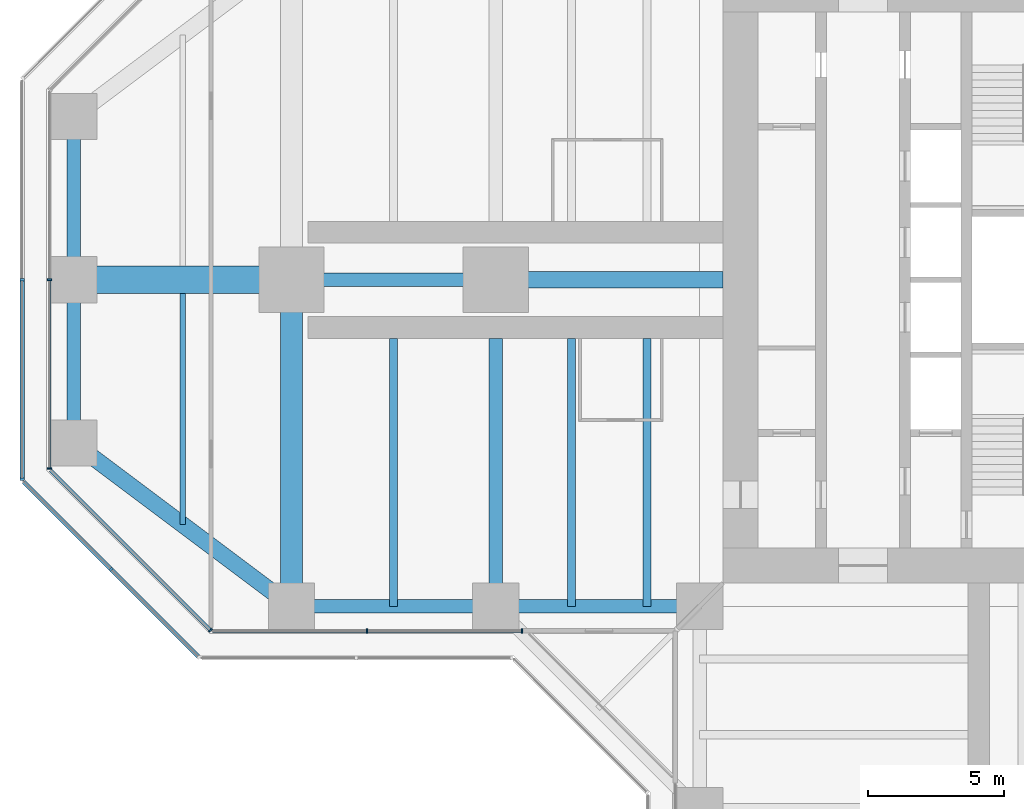
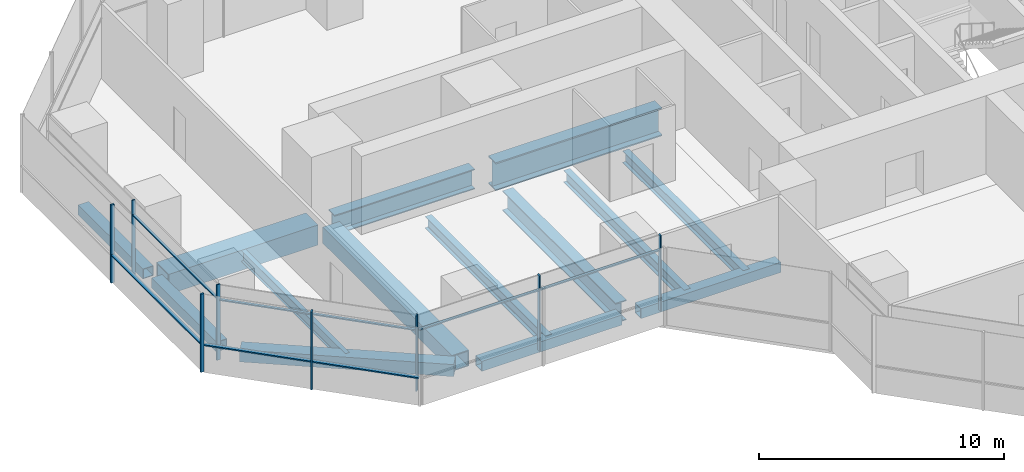
# One storey, part 3 of 19: 15 members, 14 beams, 5 elements without a shape of their own.
"""IFC4 building model written with IfcOpenShell, lengths in metres."""

from ifc_helpers import new_model, si_unit, direction, frame, origin, origin_2d, place, context, subcontext, project, spatial, rectangle, hollow_rectangle, i_section, extrude, material, material_profile, profile_set, type_object, element, aggregate, save


model = new_model("IFC4")

# Units and contexts
model_context = context("Model", 3, precision=1e-05, world=origin(), true_north=direction((0.0, 1.0)))
body_context = subcontext(model_context, "Body", "Model", "MODEL_VIEW")
ifc_project = project(units=[si_unit("LENGTHUNIT", "METRE"), si_unit("AREAUNIT", "SQUARE_METRE"), si_unit("VOLUMEUNIT", "CUBIC_METRE"), si_unit("PLANEANGLEUNIT", "RADIAN"), si_unit("MASSUNIT", "GRAM", prefix="KILO")], contexts=[model_context])

# Site, building, storey
site_placement = place(None, origin())
site = spatial("IfcSite", under=ifc_project, at=site_placement, CompositionType="ELEMENT")
building_placement = place(site_placement, origin())
building = spatial("IfcBuilding", under=site, at=building_placement, Name="Mizan Broadcast Tower", CompositionType="ELEMENT")
storey_placement = place(building_placement, frame((0.0, 0.0, 128.10009765625)))
storey = spatial("IfcBuildingStorey", under=building, at=storey_placement, Name="L28", CompositionType="ELEMENT", Elevation=128.10009765625)

# Beams
ifc_material_1 = material(Name="Steel S355", Category="steel")
ifc_material_profile_1 = material_profile(ifc_material_1, hollow_rectangle(XDim=0.5, YDim=0.5, WallThickness=0.030029296875, at=origin_2d()), Name="BOX 500x500x30")
ifc_profile_set_1 = profile_set([ifc_material_profile_1], Name="Steel S355")
beam_type_1 = type_object("IfcBeamType", Name="EDGE BEAM BOX 500x500x30", PredefinedType="SPANDREL", material=ifc_profile_set_1)
beam_1_placement = place(storey_placement, frame((-35.0, 5.639892578125, -0.380126953125), z_axis=(0.0, -1.0, 0.0), x_axis=(1.0, 0.0, 0.0)))
element("IfcBeam", 1, at=beam_1_placement, inside=storey, type_object=beam_type_1, Name="Edge beam BOX 500x500x30 L28 west arm", PredefinedType="SPANDREL", context=body_context, shape_type="SweptSolid", body=[
    extrude(hollow_rectangle(XDim=0.5, YDim=0.5, WallThickness=0.030029296875, at=origin_2d()), origin(), (0.0, 0.0, 1.0), 5.27978515625),
])
for number, where, z_axis, x_axis, name in (
    (2, (-12.449951171875, -12.0, -0.380126953125), (-1.0, 0.0, 0.0), (0.0, -1.0, 0.0), "Edge beam BOX 500x500x30 L28 west arm"),
    (3, (-19.949951171875, -12.0, -0.380126953125), (-1.0, 0.0, 0.0), (0.0, -1.0, 0.0), "Edge beam BOX 500x500x30 L28 west arm"),
):
    element("IfcBeam", number, at=place(storey_placement, frame(where, z_axis=z_axis, x_axis=x_axis)), inside=storey, type_object=beam_type_1, Name=name, PredefinedType="SPANDREL", context=body_context, shape_type="SweptSolid", body=[
        extrude(hollow_rectangle(XDim=0.5, YDim=0.5, WallThickness=0.030029296875, at=origin_2d()), origin(), (0.0, 0.0, 1.0), 6.60009765625),
    ])
beam_2_placement = place(storey_placement, frame((-35.0, -5.639892578125, -0.380126953125), z_axis=(0.0, 1.0, 0.0), x_axis=(-1.0, 0.0, 0.0)))
element("IfcBeam", 4, at=beam_2_placement, inside=storey, type_object=beam_type_1, Name="Edge beam BOX 500x500x30 L28 west arm", PredefinedType="SPANDREL", context=body_context, shape_type="SweptSolid", body=[
    extrude(hollow_rectangle(XDim=0.5, YDim=0.5, WallThickness=0.030029296875, at=origin_2d()), origin(), (0.0, 0.0, 1.0), 5.27978515625),
])
ifc_material_2 = material(Name="Steel S355", Category="steel")
ifc_material_profile_2 = material_profile(ifc_material_2, hollow_rectangle(XDim=0.60009765625, YDim=0.60009765625, WallThickness=0.030029296875, at=origin_2d()), Name="BOX 600x600x30")
ifc_profile_set_2 = profile_set([ifc_material_profile_2], Name="Steel S355")
beam_type_2 = type_object("IfcBeamType", Name="EDGE BEAM BOX 600x600x30", PredefinedType="SPANDREL", material=ifc_profile_set_2)
beam_3_placement = place(storey_placement, frame((-27.47998046875, -11.639892578125, -0.43017578125), z_axis=(-0.800013316712, 0.599982243973, 0.0), x_axis=(-0.599982243973, -0.800013316712, 0.0)))
element("IfcBeam", 5, at=beam_3_placement, inside=storey, type_object=beam_type_2, Name="Edge beam BOX 600x600x30 L28 west arm", PredefinedType="SPANDREL", context=body_context, shape_type="SweptSolid", body=[
    extrude(hollow_rectangle(XDim=0.60009765625, YDim=0.60009765625, WallThickness=0.030029296875, at=origin_2d()), origin(), (0.0, 0.0, 1.0), 8.7998046875),
])
ifc_material_3 = material(Name="Steel S460", Category="steel")
ifc_material_profile_3 = material_profile(ifc_material_3, hollow_rectangle(XDim=1.0, YDim=1.0, WallThickness=0.06005859375, at=origin_2d()), Name="BOX 1000x1000x60")
ifc_profile_set_3 = profile_set([ifc_material_profile_3], Name="Steel S460")
beam_type_3 = type_object("IfcBeamType", Name="GIRDER BOX 1000x1000x60", PredefinedType="BEAM", material=ifc_profile_set_3)
beam_4_placement = place(storey_placement, frame((-27.47998046875, 0.0, -0.630126953125), z_axis=(-1.0, 0.0, 0.0), x_axis=(0.0, -1.0, 0.0)))
element("IfcBeam", 6, at=beam_4_placement, inside=storey, type_object=beam_type_3, Name="Girder BOX 1000x1000x60 L28 west arm", PredefinedType="BEAM", context=body_context, shape_type="SweptSolid", body=[
    extrude(hollow_rectangle(XDim=1.0, YDim=1.0, WallThickness=0.06005859375, at=origin_2d()), origin(), (0.0, 0.0, 1.0), 7.0400390625),
])
ifc_material_4 = material(Name="Steel S460", Category="steel")
ifc_material_profile_4 = material_profile(ifc_material_4, hollow_rectangle(XDim=0.800048828125, YDim=0.800048828125, WallThickness=0.050048828125, at=origin_2d()), Name="BOX 800x800x50")
ifc_profile_set_4 = profile_set([ifc_material_profile_4], Name="Steel S460")
beam_type_4 = type_object("IfcBeamType", Name="GIRDER BOX 800x800x50", PredefinedType="BEAM", material=ifc_profile_set_4)
beam_5_placement = place(storey_placement, frame((-27.0, -11.280029296875, -0.530029296875), z_axis=(0.0, 1.0, 0.0), x_axis=(-1.0, 0.0, 0.0)))
element("IfcBeam", 7, at=beam_5_placement, inside=storey, type_object=beam_type_4, Name="Girder BOX 800x800x50 L28 west arm", PredefinedType="BEAM", context=body_context, shape_type="SweptSolid", body=[
    extrude(hollow_rectangle(XDim=0.800048828125, YDim=0.800048828125, WallThickness=0.050048828125, at=origin_2d()), origin(), (0.0, 0.0, 1.0), 10.56005859375),
])
ifc_material_5 = material(Name="Steel S460", Category="steel")
ifc_material_profile_5 = material_profile(ifc_material_5, i_section(OverallWidth=0.5, OverallDepth=1.0, WebThickness=0.02490234375, FlangeThickness=0.050048828125, at=origin_2d()), Name="WPG 1000x500")
ifc_profile_set_5 = profile_set([ifc_material_profile_5], Name="Steel S460")
beam_type_5 = type_object("IfcBeamType", Name="GIRDER WPG 1000x500", PredefinedType="BEAM", material=ifc_profile_set_5)
beam_6_placement = place(storey_placement, frame((-19.949951171875, 0.0, -0.630126953125), z_axis=(-1.0, 0.0, 0.0), x_axis=(0.0, -1.0, 0.0)))
element("IfcBeam", 8, at=beam_6_placement, inside=storey, type_object=beam_type_5, Name="Girder WPG 1000x500 L28 west arm", PredefinedType="BEAM", context=body_context, shape_type="SweptSolid", body=[
    extrude(i_section(OverallWidth=0.5, OverallDepth=1.0, WebThickness=0.02490234375, FlangeThickness=0.050048828125, at=origin_2d()), origin(), (0.0, 0.0, 1.0), 6.60009765625),
])
beam_7_placement = place(storey_placement, frame((-19.5, -11.408935546875, -0.630126953125), z_axis=(0.0, 1.0, 0.0), x_axis=(-1.0, 0.0, 0.0)))
element("IfcBeam", 9, at=beam_7_placement, inside=storey, type_object=beam_type_5, Name="Girder WPG 1000x500 L28 west arm", PredefinedType="BEAM", context=body_context, shape_type="SweptSolid", body=[
    extrude(i_section(OverallWidth=0.5, OverallDepth=1.0, WebThickness=0.02490234375, FlangeThickness=0.050048828125, at=origin_2d()), origin(), (0.0, 0.0, 1.0), 9.259033203125),
])
ifc_material_6 = material(Name="Steel S460", Category="steel")
ifc_material_profile_6 = material_profile(ifc_material_6, i_section(OverallWidth=0.60009765625, OverallDepth=1.39990234375, WebThickness=0.02490234375, FlangeThickness=0.06005859375, at=origin_2d()), Name="WPG 1400x600")
ifc_profile_set_6 = profile_set([ifc_material_profile_6], Name="Steel S460")
beam_type_6 = type_object("IfcBeamType", Name="GIRDER WPG 1400x600", PredefinedType="BEAM", material=ifc_profile_set_6)
beam_8_placement = place(storey_placement, frame((-11.14990234375, 0.0, -0.830078125), z_axis=(-1.0, 0.0, 0.0), x_axis=(0.0, -1.0, 0.0)))
element("IfcBeam", 10, at=beam_8_placement, inside=storey, type_object=beam_type_6, Name="Girder WPG 1400x600 L28 west arm", PredefinedType="BEAM", context=body_context, shape_type="SweptSolid", body=[
    extrude(i_section(OverallWidth=0.60009765625, OverallDepth=1.39990234375, WebThickness=0.02490234375, FlangeThickness=0.06005859375, at=origin_2d()), origin(), (0.0, 0.0, 1.0), 7.84912109375),
])

# Curtain wall, members
ifc_material_7 = material(Name="Aluminium framed glazing", Category="aluminium")
curtain_wall_type_1 = type_object("IfcCurtainWallType", Name="INNER SKIN MID ZONE", PredefinedType="USERDEFINED", material=ifc_material_7)
curtain_wall_1_placement = place(storey_placement, origin())
curtain_wall_1 = element("IfcCurtainWall", 11, at=curtain_wall_1_placement, inside=storey, type_object=curtain_wall_type_1, Name="Inner skin mid zone L28 W end", ObjectType="INNER SKIN MID ZONE", PredefinedType="USERDEFINED")
ifc_material_8 = material(Name="Aluminium, pale anodised", Category="aluminium")
ifc_material_profile_7 = material_profile(ifc_material_8, rectangle(XDim=0.159912109375, YDim=0.06005859375, at=origin_2d()), Name="MULLION 160x60")
ifc_profile_set_7 = profile_set([ifc_material_profile_7], Name="Aluminium, pale anodised")
member_type_1 = type_object("IfcMemberType", Name="INNER SKIN MULLION 60x160", PredefinedType="MULLION", material=ifc_profile_set_7)
member_1_placement = place(storey_placement, frame((-35.89990234375, 0.0, 0.0), z_axis=(0.0, 0.0, 1.0), x_axis=(1.0, 0.0, 0.0)))
member_1 = element("IfcMember", 12, at=member_1_placement, type_object=member_type_1, Name="Inner skin mid zone L28 W end mullion 2", PredefinedType="MULLION", context=body_context, shape_type="SweptSolid", body=[
    extrude(rectangle(XDim=0.159912109375, YDim=0.06005859375, at=origin_2d()), origin(), (0.0, 0.0, 1.0), 3.77001953125),
])
member_2_placement = place(storey_placement, frame((-35.89990234375, -6.928466796875, 0.0), z_axis=(0.0, 0.0, 1.0), x_axis=(1.0, 0.0, 0.0)))
member_2 = element("IfcMember", 13, at=member_2_placement, type_object=member_type_1, Name="Inner skin mid zone L28 W end mullion 3", PredefinedType="MULLION", context=body_context, shape_type="SweptSolid", body=[
    extrude(rectangle(XDim=0.159912109375, YDim=0.06005859375, at=origin_2d()), origin(), (0.0, 0.0, 1.0), 3.77001953125),
])

# Curtain wall, member
curtain_wall_2_placement = place(storey_placement, origin())
curtain_wall_2 = element("IfcCurtainWall", 14, at=curtain_wall_2_placement, inside=storey, type_object=curtain_wall_type_1, Name="Inner skin mid zone L28 W chamfer", ObjectType="INNER SKIN MID ZONE", PredefinedType="USERDEFINED")
member_3_placement = place(storey_placement, frame((-29.979736328125, -12.87890625, 0.0), z_axis=(0.0, 0.0, 1.0), x_axis=(0.707106781187, 0.707106781187, 0.0)))
member_3 = element("IfcMember", 15, at=member_3_placement, type_object=member_type_1, Name="Inner skin mid zone L28 W chamfer mullion 2", PredefinedType="MULLION", context=body_context, shape_type="SweptSolid", body=[
    extrude(rectangle(XDim=0.159912109375, YDim=0.06005859375, at=origin_2d()), origin(), (0.0, 0.0, 1.0), 3.77001953125),
])

# Curtain wall, members
curtain_wall_3_placement = place(storey_placement, origin())
curtain_wall_3 = element("IfcCurtainWall", 16, at=curtain_wall_3_placement, inside=storey, type_object=curtain_wall_type_1, Name="Inner skin mid zone L28 W side", ObjectType="INNER SKIN MID ZONE", PredefinedType="USERDEFINED")
member_4_placement = place(storey_placement, frame((-24.229248046875, -12.89990234375, 0.0), z_axis=(0.0, 0.0, 1.0), x_axis=(0.0, 1.0, 0.0)))
member_4 = element("IfcMember", 17, at=member_4_placement, type_object=member_type_1, Name="Inner skin mid zone L28 W side mullion 2", PredefinedType="MULLION", context=body_context, shape_type="SweptSolid", body=[
    extrude(rectangle(XDim=0.159912109375, YDim=0.06005859375, at=origin_2d()), origin(), (0.0, 0.0, 1.0), 3.77001953125),
])
member_5_placement = place(storey_placement, frame((-18.530029296875, -12.89990234375, 0.0), z_axis=(0.0, 0.0, 1.0), x_axis=(0.0, 1.0, 0.0)))
member_5 = element("IfcMember", 18, at=member_5_placement, type_object=member_type_1, Name="Inner skin mid zone L28 W side mullion 3", PredefinedType="MULLION", context=body_context, shape_type="SweptSolid", body=[
    extrude(rectangle(XDim=0.159912109375, YDim=0.06005859375, at=origin_2d()), origin(), (0.0, 0.0, 1.0), 3.77001953125),
])

# Member
ifc_material_9 = material(Name="Aluminium, pale anodised", Category="aluminium")
ifc_material_profile_8 = material_profile(ifc_material_9, rectangle(XDim=0.1201171875, YDim=0.06005859375, at=origin_2d()), Name="TRANSOM 120x60")
ifc_profile_set_8 = profile_set([ifc_material_profile_8], Name="Aluminium, pale anodised")
member_type_2 = type_object("IfcMemberType", Name="INNER SKIN TRANSOM 60x120", PredefinedType="USERDEFINED", material=ifc_profile_set_8)
member_6_placement = place(storey_placement, frame((-35.89990234375, -0.030029296875, 3.02978515625), z_axis=(0.0, -1.0, 0.0), x_axis=(1.0, 0.0, 0.0)))
member_6 = element("IfcMember", 19, at=member_6_placement, type_object=member_type_2, Name="Inner skin mid zone L28 W end transom 2.1", ObjectType="TRANSOM", PredefinedType="USERDEFINED", context=body_context, shape_type="SweptSolid", body=[
    extrude(rectangle(XDim=0.1201171875, YDim=0.06005859375, at=origin_2d()), origin(), (0.0, 0.0, 1.0), 6.86865234375),
])

aggregate(curtain_wall_1, [member_1, member_2, member_6])

member_7_placement = place(storey_placement, frame((-35.857666015625, -7.0009765625, 3.02978515625), z_axis=(0.707106781187, -0.707106781187, 0.0), x_axis=(0.707106781187, 0.707106781187, 0.0)))
member_7 = element("IfcMember", 20, at=member_7_placement, type_object=member_type_2, Name="Inner skin mid zone L28 W chamfer transom 1.1", ObjectType="TRANSOM", PredefinedType="USERDEFINED", context=body_context, shape_type="SweptSolid", body=[
    extrude(rectangle(XDim=0.1201171875, YDim=0.06005859375, at=origin_2d()), origin(), (0.0, 0.0, 1.0), 8.28271484375),
])

aggregate(curtain_wall_2, [member_3, member_7])

member_8_placement = place(storey_placement, frame((-29.898681640625, -12.89990234375, 3.02978515625), z_axis=(1.0, 0.0, 0.0), x_axis=(0.0, 1.0, 0.0)))
member_8 = element("IfcMember", 21, at=member_8_placement, type_object=member_type_2, Name="Inner skin mid zone L28 W side transom 1.1", ObjectType="TRANSOM", PredefinedType="USERDEFINED", context=body_context, shape_type="SweptSolid", body=[
    extrude(rectangle(XDim=0.1201171875, YDim=0.06005859375, at=origin_2d()), origin(), (0.0, 0.0, 1.0), 5.639404296875),
])

member_9_placement = place(storey_placement, frame((-24.19921875, -12.89990234375, 3.02978515625), z_axis=(1.0, 0.0, 0.0), x_axis=(0.0, 1.0, 0.0)))
member_9 = element("IfcMember", 22, at=member_9_placement, type_object=member_type_2, Name="Inner skin mid zone L28 W side transom 2.1", ObjectType="TRANSOM", PredefinedType="USERDEFINED", context=body_context, shape_type="SweptSolid", body=[
    extrude(rectangle(XDim=0.1201171875, YDim=0.06005859375, at=origin_2d()), origin(), (0.0, 0.0, 1.0), 5.63916015625),
])

aggregate(curtain_wall_3, [member_4, member_5, member_8, member_9])

# Curtain wall, members
ifc_material_10 = material(Name="Aluminium framed glazing", Category="aluminium")
curtain_wall_type_2 = type_object("IfcCurtainWallType", Name="OUTER SKIN", PredefinedType="USERDEFINED", material=ifc_material_10)
curtain_wall_4_placement = place(storey_placement, origin())
curtain_wall_4 = element("IfcCurtainWall", 23, at=curtain_wall_4_placement, inside=storey, type_object=curtain_wall_type_2, Name="Outer skin L28 W end", ObjectType="OUTER SKIN", PredefinedType="USERDEFINED")
ifc_material_11 = material(Name="Aluminium, pale anodised", Category="aluminium")
ifc_material_profile_9 = material_profile(ifc_material_11, rectangle(XDim=0.159912109375, YDim=0.080078125, at=origin_2d()), Name="MULLION 160x80")
ifc_profile_set_9 = profile_set([ifc_material_profile_9], Name="Aluminium, pale anodised")
member_type_3 = type_object("IfcMemberType", Name="OUTER SKIN MULLION 80x160", PredefinedType="MULLION", material=ifc_profile_set_9)
member_10_placement = place(storey_placement, frame((-36.89990234375, 0.0, 0.0), z_axis=(0.0, 0.0, 1.0), x_axis=(1.0, 0.0, 0.0)))
member_10 = element("IfcMember", 24, at=member_10_placement, type_object=member_type_3, Name="Outer skin L28 W end mullion 2", PredefinedType="MULLION", context=body_context, shape_type="SweptSolid", body=[
    extrude(rectangle(XDim=0.159912109375, YDim=0.080078125, at=origin_2d()), origin(), (0.0, 0.0, 1.0), 3.89990234375),
])
member_11_placement = place(storey_placement, frame((-36.89990234375, -7.332763671875, 0.0), z_axis=(0.0, 0.0, 1.0), x_axis=(1.0, 0.0, 0.0)))
member_11 = element("IfcMember", 25, at=member_11_placement, type_object=member_type_3, Name="Outer skin L28 W end mullion 3", PredefinedType="MULLION", context=body_context, shape_type="SweptSolid", body=[
    extrude(rectangle(XDim=0.159912109375, YDim=0.080078125, at=origin_2d()), origin(), (0.0, 0.0, 1.0), 3.89990234375),
])

# Curtain wall, member
curtain_wall_5_placement = place(storey_placement, origin())
curtain_wall_5 = element("IfcCurtainWall", 26, at=curtain_wall_5_placement, inside=storey, type_object=curtain_wall_type_2, Name="Outer skin L28 W chamfer", ObjectType="OUTER SKIN", PredefinedType="USERDEFINED")
member_12_placement = place(storey_placement, frame((-33.636474609375, -10.636474609375, 0.0), z_axis=(0.0, 0.0, 1.0), x_axis=(0.707106781187, 0.707106781187, 0.0)))
member_12 = element("IfcMember", 27, at=member_12_placement, type_object=member_type_3, Name="Outer skin L28 W chamfer mullion 2", PredefinedType="MULLION", context=body_context, shape_type="SweptSolid", body=[
    extrude(rectangle(XDim=0.159912109375, YDim=0.080078125, at=origin_2d()), origin(), (0.0, 0.0, 1.0), 3.89990234375),
])

# Member
ifc_material_12 = material(Name="Aluminium, pale anodised", Category="aluminium")
ifc_material_profile_10 = material_profile(ifc_material_12, rectangle(XDim=0.159912109375, YDim=0.06005859375, at=origin_2d()), Name="TRANSOM 160x60")
ifc_profile_set_10 = profile_set([ifc_material_profile_10], Name="Aluminium, pale anodised")
member_type_4 = type_object("IfcMemberType", Name="OUTER SKIN TRANSOM 60x160", PredefinedType="USERDEFINED", material=ifc_profile_set_10)
member_13_placement = place(storey_placement, frame((-36.89990234375, -0.0400390625, 1.39990234375), z_axis=(0.0, -1.0, 0.0), x_axis=(1.0, 0.0, 0.0)))
member_13 = element("IfcMember", 28, at=member_13_placement, type_object=member_type_4, Name="Outer skin L28 W end transom 2.1", ObjectType="TRANSOM", PredefinedType="USERDEFINED", context=body_context, shape_type="SweptSolid", body=[
    extrude(rectangle(XDim=0.159912109375, YDim=0.06005859375, at=origin_2d()), origin(), (0.0, 0.0, 1.0), 7.252685546875),
])

aggregate(curtain_wall_4, [member_10, member_11, member_13])

member_14_placement = place(storey_placement, frame((-36.843505859375, -7.429443359375, 1.39990234375), z_axis=(0.707106781187, -0.707106781187, 0.0), x_axis=(0.707106781187, 0.707106781187, 0.0)))
member_14 = element("IfcMember", 29, at=member_14_placement, type_object=member_type_4, Name="Outer skin L28 W chamfer transom 1.1", ObjectType="TRANSOM", PredefinedType="USERDEFINED", context=body_context, shape_type="SweptSolid", body=[
    extrude(rectangle(XDim=0.159912109375, YDim=0.06005859375, at=origin_2d()), origin(), (0.0, 0.0, 1.0), 4.495361328125),
])

member_15_placement = place(storey_placement, frame((-33.608154296875, -10.664794921875, 1.39990234375), z_axis=(0.707106781187, -0.707106781187, 0.0), x_axis=(0.707106781187, 0.707106781187, 0.0)))
member_15 = element("IfcMember", 30, at=member_15_placement, type_object=member_type_4, Name="Outer skin L28 W chamfer transom 2.1", ObjectType="TRANSOM", PredefinedType="USERDEFINED", context=body_context, shape_type="SweptSolid", body=[
    extrude(rectangle(XDim=0.159912109375, YDim=0.06005859375, at=origin_2d()), origin(), (0.0, 0.0, 1.0), 4.495361328125),
])

aggregate(curtain_wall_5, [member_12, member_14, member_15])

# Beams
ifc_material_13 = material(Name="Steel S355", Category="steel")
ifc_material_profile_11 = material_profile(ifc_material_13, i_section(OverallWidth=0.300048828125, OverallDepth=0.590087890625, WebThickness=0.012939453125, FlangeThickness=0.02490234375, FilletRadius=0.027099609375, at=origin_2d()), Name="HEA 600")
ifc_profile_set_11 = profile_set([ifc_material_profile_11], Name="Steel S355")
beam_type_7 = type_object("IfcBeamType", Name="SECONDARY BEAM HEA 600", PredefinedType="JOIST", material=ifc_profile_set_11)
for number, where, z_axis, x_axis, name in (
    (31, (-13.933349609375, -12.0, -0.425048828125), (0.0, 1.0, 0.0), (-1.0, 0.0, 0.0), "Secondary beam HEA 600 L28 west arm"),
    (32, (-16.716552734375, -12.0, -0.425048828125), (0.0, 1.0, 0.0), (-1.0, 0.0, 0.0), "Secondary beam HEA 600 L28 west arm"),
    (33, (-23.25, -12.0, -0.425048828125), (0.0, 1.0, 0.0), (-1.0, 0.0, 0.0), "Secondary beam HEA 600 L28 west arm"),
):
    element("IfcBeam", number, at=place(storey_placement, frame(where, z_axis=z_axis, x_axis=x_axis)), inside=storey, type_object=beam_type_7, Name=name, PredefinedType="JOIST", context=body_context, shape_type="SweptSolid", body=[
        extrude(i_section(OverallWidth=0.300048828125, OverallDepth=0.590087890625, WebThickness=0.012939453125, FlangeThickness=0.02490234375, FilletRadius=0.027099609375, at=origin_2d()), origin(), (0.0, 0.0, 1.0), 9.85009765625),
    ])
ifc_material_14 = material(Name="Steel S355", Category="steel")
ifc_material_profile_12 = material_profile(ifc_material_14, i_section(OverallWidth=0.2099609375, OverallDepth=0.550048828125, WebThickness=0.010986328125, FlangeThickness=0.01708984375, FilletRadius=0.02392578125, at=origin_2d()), Name="IPE 550")
ifc_profile_set_12 = profile_set([ifc_material_profile_12], Name="Steel S355")
beam_type_8 = type_object("IfcBeamType", Name="SECONDARY BEAM IPE 550", PredefinedType="JOIST", material=ifc_profile_set_12)
beam_9_placement = place(storey_placement, frame((-31.0, -9.0, -0.405029296875), z_axis=(0.0, 1.0, 0.0), x_axis=(-1.0, 0.0, 0.0)))
element("IfcBeam", 34, at=beam_9_placement, inside=storey, type_object=beam_type_8, Name="Secondary beam IPE 550 L28 west arm", PredefinedType="JOIST", context=body_context, shape_type="SweptSolid", body=[
    extrude(i_section(OverallWidth=0.2099609375, OverallDepth=0.550048828125, WebThickness=0.010986328125, FlangeThickness=0.01708984375, FilletRadius=0.02392578125, at=origin_2d()), origin(), (0.0, 0.0, 1.0), 8.5),
])

save(model, "model.ifc")
